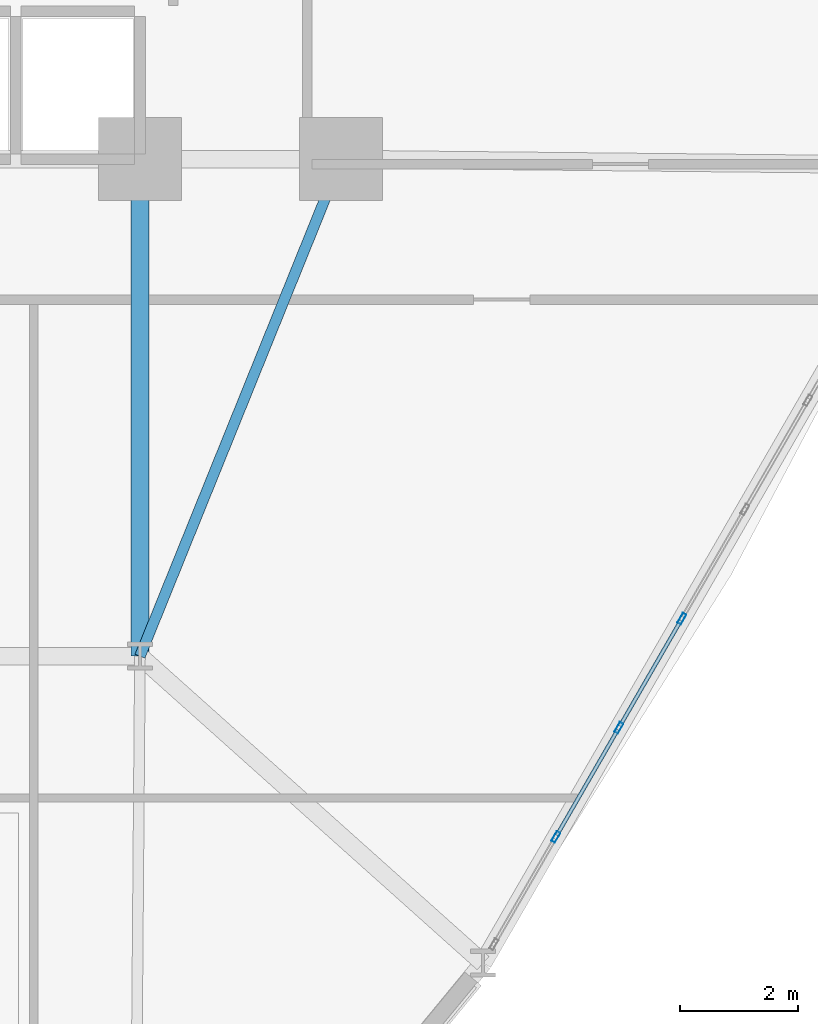
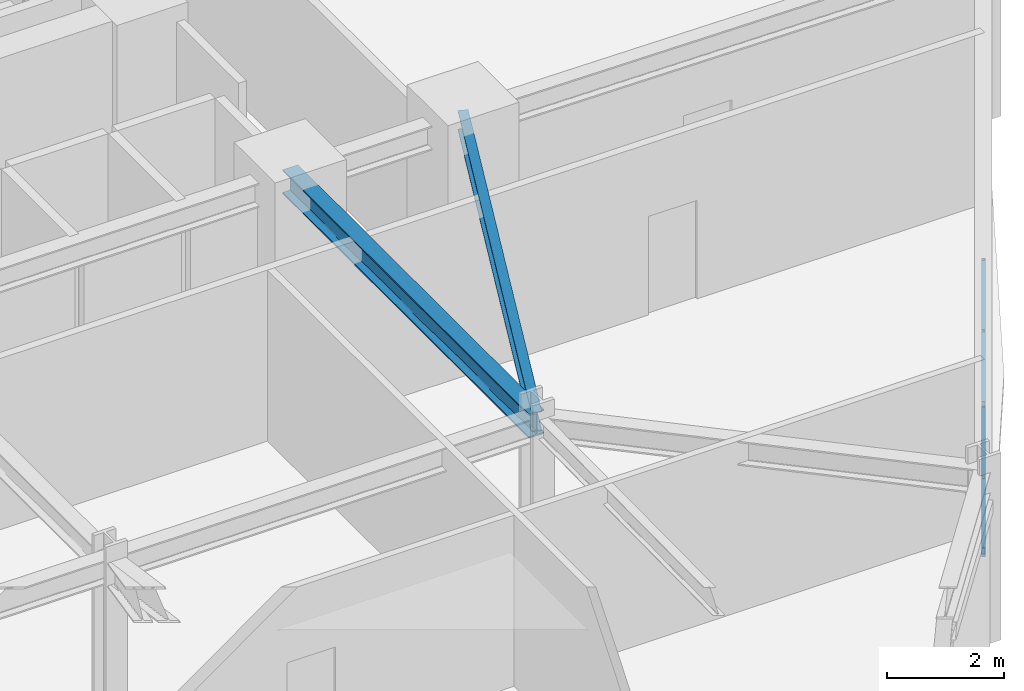
# One storey, part 7 of 22: 7 members, 2 beams, 1 element without a shape of its own.
"""IFC4 building model written with IfcOpenShell, lengths in metres."""

from ifc_helpers import new_model, si_unit, derived_unit, direction, frame, origin, origin_2d, place, context, subcontext, project, spatial, hollow_rectangle, i_section, extrude, source, transform, mapped, material, layer, layer_set, material_profile, profile_set, type_object, element, aggregate, save


model = new_model("IFC4")

# Units and contexts
model_context = context("Model", 3, precision=1e-05, world=origin(), true_north=direction((0.0, 1.0)))
body_context = subcontext(model_context, "Body", "Model", "MODEL_VIEW")
ifc_project = project(units=[si_unit("LENGTHUNIT", "METRE"), si_unit("AREAUNIT", "SQUARE_METRE"), si_unit("VOLUMEUNIT", "CUBIC_METRE"), si_unit("PLANEANGLEUNIT", "RADIAN"), si_unit("MASSUNIT", "GRAM", prefix="KILO"), derived_unit("THERMALTRANSMITTANCEUNIT", [(si_unit("POWERUNIT", "WATT"), 1), (si_unit("LENGTHUNIT", "METRE"), -2), (si_unit("THERMODYNAMICTEMPERATUREUNIT", "KELVIN"), -1)])], contexts=[model_context])

# Site, building, storey
site_placement = place(None, origin())
site = spatial("IfcSite", under=ifc_project, at=site_placement, CompositionType="ELEMENT")
building_placement = place(site_placement, origin())
building = spatial("IfcBuilding", under=site, at=building_placement, Name="Korsvarv Bourse and Concert Hall", CompositionType="ELEMENT")
storey_placement = place(building_placement, frame((0.0, 0.0, 55.199951171875)))
storey = spatial("IfcBuildingStorey", under=building, at=storey_placement, Name="L13", CompositionType="ELEMENT", Elevation=55.199951171875)

# Beams
ifc_material_1 = material(Name="Steel S355", Category="steel")
ifc_material_profile_1 = material_profile(ifc_material_1, i_section(OverallWidth=0.300048828125, OverallDepth=0.5, WebThickness=0.014404296875, FlangeThickness=0.028076171875, FilletRadius=0.02392578125, at=origin_2d()), Name="HEB 500")
ifc_profile_set_1 = profile_set([ifc_material_profile_1], Name="Steel S355")
beam_type_1 = type_object("IfcBeamType", Name="BM-HEB500", PredefinedType="BEAM", material=ifc_profile_set_1)
shared_shape_1 = source(origin(), body_context, "Body", "SweptSolid", [
    extrude(i_section(OverallWidth=0.300048828125, OverallDepth=0.5, WebThickness=0.014404296875, FlangeThickness=0.028076171875, FilletRadius=0.02392578125, at=origin_2d()), origin(), (0.0, 0.0, 1.0), 8.39990234375),
])
beam_1_placement = place(storey_placement, frame((44.39990234375, 24.0, 3.31005859375), z_axis=(0.0, 1.0, 0.0), x_axis=(-1.0, 0.0, 0.0)))
element("IfcBeam", 1, at=beam_1_placement, inside=storey, type_object=beam_type_1, Name="L13 beam B-07", PredefinedType="BEAM", context=body_context, shape_type="MappedRepresentation", body=[
    mapped(shared_shape_1, transform((0.0, 0.0, 0.0), scale=1.0)),
])
ifc_material_profile_2 = material_profile(ifc_material_1, i_section(OverallWidth=0.179931640625, OverallDepth=0.39990234375, WebThickness=0.008544921875, FlangeThickness=0.013427734375, FilletRadius=0.02099609375, at=origin_2d()), Name="IPE 400")
ifc_profile_set_2 = profile_set([ifc_material_profile_2], Name="Steel S355")
beam_type_2 = type_object("IfcBeamType", Name="BM-IPE400", PredefinedType="JOIST", material=ifc_profile_set_2)
shared_shape_2 = source(origin(), body_context, "Body", "SweptSolid", [
    extrude(i_section(OverallWidth=0.179931640625, OverallDepth=0.39990234375, WebThickness=0.008544921875, FlangeThickness=0.013427734375, FilletRadius=0.02099609375, at=origin_2d()), origin(), (0.0, 0.0, 1.0), 9.06201171875),
])
beam_2_placement = place(storey_placement, frame((47.800048828125, 32.39990234375, 3.360107421875), z_axis=(-0.375210394783, -0.926939674222, 0.0), x_axis=(0.926939674222, -0.375210394783, 0.0)))
element("IfcBeam", 2, at=beam_2_placement, inside=storey, type_object=beam_type_2, Name="L13 beam J-05", PredefinedType="JOIST", context=body_context, shape_type="MappedRepresentation", body=[
    mapped(shared_shape_2, transform((0.0, 0.0, 0.0), scale=1.0)),
])

# Curtain wall, members
ifc_material_2 = material(Name="Anodised aluminium and triple low-E glazing", Category="glass")
ifc_layer = layer(ifc_material_2, 0.219970703125)
ifc_layer_set = layer_set([ifc_layer], Name="Anodised aluminium and triple low-E glazing")
curtain_wall_type = type_object("IfcCurtainWallType", Name="CW-SYS-1", PredefinedType="NOTDEFINED", material=ifc_layer_set)
curtain_wall_placement = place(storey_placement, origin())
curtain_wall = element("IfcCurtainWall", 3, at=curtain_wall_placement, inside=storey, type_object=curtain_wall_type, Name="L13 CW1 curtain wall CW-L13-F11", PredefinedType="NOTDEFINED")
ifc_material_3 = material(Name="Extruded aluminium EN AW-6063 T66", Category="aluminium")
ifc_material_profile_3 = material_profile(ifc_material_3, hollow_rectangle(XDim=0.06494140625, YDim=0.139892578125, WallThickness=0.00390625, at=origin_2d()), Name="ALU-T 65x140")
ifc_profile_set_3 = profile_set([ifc_material_profile_3], Name="Extruded aluminium EN AW-6063 T66")
member_type_1 = type_object("IfcMemberType", Name="CWT-140", PredefinedType="USERDEFINED", material=ifc_profile_set_3)
shared_shape_3 = source(origin(), body_context, "Body", "SweptSolid", [
    extrude(hollow_rectangle(XDim=0.06494140625, YDim=0.139892578125, WallThickness=0.00390625, at=origin_2d()), origin(), (0.0, 0.0, 1.0), 2.059326171875),
])
member_1_placement = place(storey_placement, frame((51.446533203125, 20.97509765625, 0.032470703125), z_axis=(0.500040568494, 0.866001980287, 0.0), x_axis=(-0.866001980287, 0.500040568494, 0.0)))
member_1 = element("IfcMember", 4, at=member_1_placement, type_object=member_type_1, Name="CW1 transom 2.1", ObjectType="TRANSOM", PredefinedType="USERDEFINED", context=body_context, shape_type="MappedRepresentation", body=[
    mapped(shared_shape_3, transform((0.0, 0.0, 0.0), scale=1.0)),
])
member_2_placement = place(storey_placement, frame((51.446533203125, 20.97509765625, 3.07763671875), z_axis=(0.500040568494, 0.866001980287, 0.0), x_axis=(-0.866001980287, 0.500040568494, 0.0)))
member_2 = element("IfcMember", 5, at=member_2_placement, type_object=member_type_1, Name="CW1 transom 2.2", ObjectType="TRANSOM", PredefinedType="USERDEFINED", context=body_context, shape_type="MappedRepresentation", body=[
    mapped(shared_shape_3, transform((0.0, 0.0, 0.0), scale=1.0)),
])
member_3_placement = place(storey_placement, frame((52.51123046875, 22.8193359375, 0.032470703125), z_axis=(0.500040568494, 0.866001980287, 0.0), x_axis=(-0.866001980287, 0.500040568494, 0.0)))
member_3 = element("IfcMember", 6, at=member_3_placement, type_object=member_type_1, Name="CW1 transom 3.1", ObjectType="TRANSOM", PredefinedType="USERDEFINED", context=body_context, shape_type="MappedRepresentation", body=[
    mapped(shared_shape_3, transform((0.0, 0.0, 0.0), scale=1.0)),
])
member_4_placement = place(storey_placement, frame((52.51123046875, 22.8193359375, 3.07763671875), z_axis=(0.500040568494, 0.866001980287, 0.0), x_axis=(-0.866001980287, 0.500040568494, 0.0)))
member_4 = element("IfcMember", 7, at=member_4_placement, type_object=member_type_1, Name="CW1 transom 3.2", ObjectType="TRANSOM", PredefinedType="USERDEFINED", context=body_context, shape_type="MappedRepresentation", body=[
    mapped(shared_shape_3, transform((0.0, 0.0, 0.0), scale=1.0)),
])
ifc_material_profile_4 = material_profile(ifc_material_3, hollow_rectangle(XDim=0.070068359375, YDim=0.18994140625, WallThickness=0.0048828125, at=origin_2d()), Name="ALU-M 70x190")
ifc_profile_set_4 = profile_set([ifc_material_profile_4], Name="Extruded aluminium EN AW-6063 T66")
member_type_2 = type_object("IfcMemberType", Name="CWM-190", PredefinedType="MULLION", material=ifc_profile_set_4)
shared_shape_4 = source(origin(), body_context, "Body", "SweptSolid", [
    extrude(hollow_rectangle(XDim=0.070068359375, YDim=0.18994140625, WallThickness=0.0048828125, at=origin_2d()), origin(), (0.0, 0.0, 1.0), 3.110107421875),
])
member_5_placement = place(storey_placement, frame((51.428955078125, 20.94482421875, 0.0), z_axis=(0.0, 0.0, 1.0), x_axis=(-0.866025499647, 0.499999833962, 0.0)))
member_5 = element("IfcMember", 8, at=member_5_placement, type_object=member_type_2, Name="CW1 mullion 2", PredefinedType="MULLION", context=body_context, shape_type="MappedRepresentation", body=[
    mapped(shared_shape_4, transform((0.0, 0.0, 0.0), scale=1.0)),
])
member_6_placement = place(storey_placement, frame((52.49365234375, 22.788818359375, 0.0), z_axis=(0.0, 0.0, 1.0), x_axis=(-0.866025499647, 0.499999833962, 0.0)))
member_6 = element("IfcMember", 9, at=member_6_placement, type_object=member_type_2, Name="CW1 mullion 3", PredefinedType="MULLION", context=body_context, shape_type="MappedRepresentation", body=[
    mapped(shared_shape_4, transform((0.0, 0.0, 0.0), scale=1.0)),
])
member_7_placement = place(storey_placement, frame((53.558349609375, 24.633056640625, 0.0), z_axis=(0.0, 0.0, 1.0), x_axis=(-0.866025499647, 0.499999833962, 0.0)))
member_7 = element("IfcMember", 10, at=member_7_placement, type_object=member_type_2, Name="CW1 mullion 4", PredefinedType="MULLION", context=body_context, shape_type="MappedRepresentation", body=[
    mapped(shared_shape_4, transform((0.0, 0.0, 0.0), scale=1.0)),
])
aggregate(curtain_wall, [member_5, member_6, member_7, member_1, member_2, member_3, member_4])

save(model, "model.ifc")
